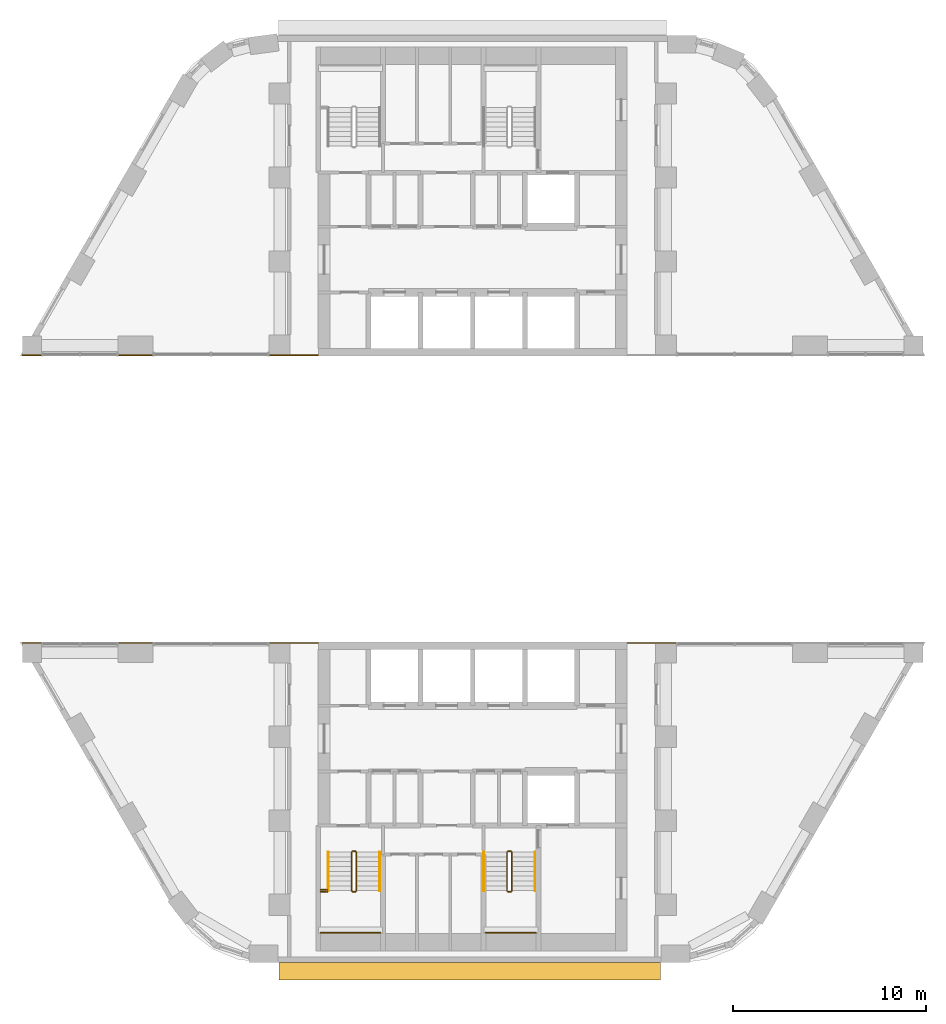
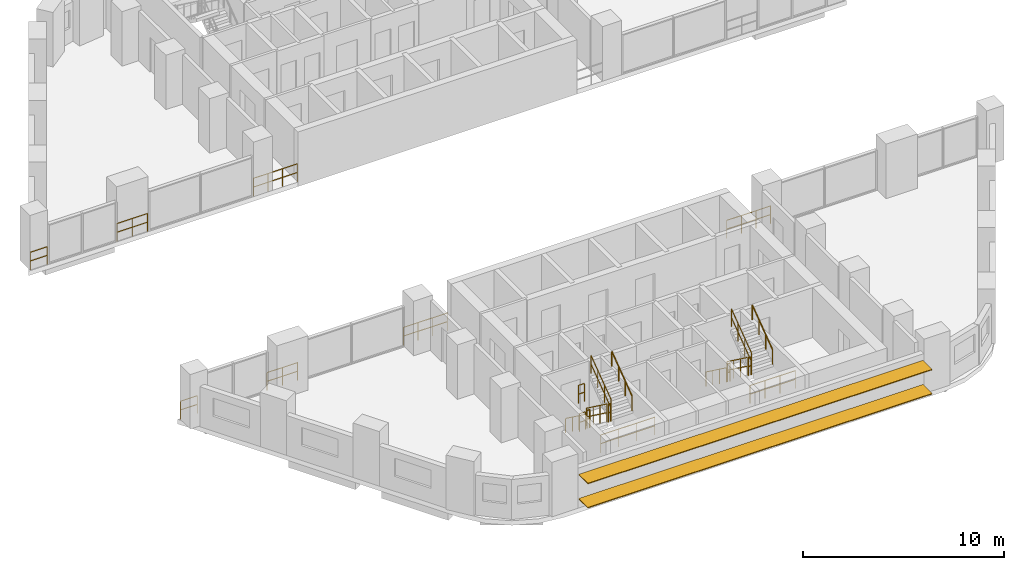
# One storey, part 10 of 11: 23 railings, 2 shading devices.
"""IFC4 building model written with IfcOpenShell, lengths in metres."""

from ifc_helpers import new_model, si_unit, direction, frame, origin, origin_2d, place, context, subcontext, project, spatial, rectangle, circle, extrude, material, material_profile, profile_set, type_object, element, save


model = new_model("IFC4")

# Units and contexts
model_context = context("Model", 3, precision=1e-05, world=origin(), true_north=direction((0.0, 1.0)))
body_context = subcontext(model_context, "Body", "Model", "MODEL_VIEW")
ifc_project = project(units=[si_unit("LENGTHUNIT", "METRE"), si_unit("AREAUNIT", "SQUARE_METRE"), si_unit("VOLUMEUNIT", "CUBIC_METRE"), si_unit("PLANEANGLEUNIT", "RADIAN"), si_unit("MASSUNIT", "GRAM", prefix="KILO")], contexts=[model_context])

# Site, building, storey
site_placement = place(None, origin())
site = spatial("IfcSite", under=ifc_project, at=site_placement, CompositionType="ELEMENT")
building_placement = place(site_placement, origin())
building = spatial("IfcBuilding", under=site, at=building_placement, Name="Nakaniwa Court", CompositionType="ELEMENT")
storey_placement = place(building_placement, frame((0.0, 0.0, 31.5)))
storey = spatial("IfcBuildingStorey", under=building, at=storey_placement, Name="L07", CompositionType="ELEMENT", Elevation=31.5)

# Shading devices
ifc_material_1 = material(Name="Perforated charcoal ceramic louvre blade")
ifc_material_profile = material_profile(ifc_material_1, rectangle(XDim=0.89990234375, YDim=0.050048828125, at=origin_2d()), Name="Perforated ceramic louvre blade")
ifc_profile_set = profile_set([ifc_material_profile], Name="Perforated charcoal ceramic louvre blade")
shading_device_type = type_object("IfcShadingDeviceType", Name="Perforated ceramic louvre blade", PredefinedType="JALOUSIE", material=ifc_profile_set)
for number, where, z_axis, x_axis, name in (
    (1, (69.97119140625, 55.550048828125, 0.550048828125), (1.0, 0.0, 0.0), (0.0, 1.0, 0.0), "L07 perforated ceramic louvre blade w11 1"),
    (2, (69.97119140625, 55.550048828125, 2.014892578125), (1.0, 0.0, 0.0), (0.0, 1.0, 0.0), "L07 perforated ceramic louvre blade w11 2"),
):
    element("IfcShadingDevice", number, at=place(storey_placement, frame(where, z_axis=z_axis, x_axis=x_axis)), inside=storey, type_object=shading_device_type, Name=name, PredefinedType="JALOUSIE", context=body_context, shape_type="SweptSolid", body=[
        extrude(rectangle(XDim=0.89990234375, YDim=0.050048828125, at=origin_2d()), origin(), (0.0, 0.0, 1.0), 19.739990234375),
    ])

# Railings
ifc_material_2 = material(Name="Black powder coated steel guard", Category="steel")
railing_type_1 = type_object("IfcRailingType", Name="Stair guard 1100", PredefinedType="GUARDRAIL", material=ifc_material_2)
railing_1_placement = place(storey_placement, frame((73.72509765625, 61.72509765625, 0.183349609375)))
element("IfcRailing", 3, at=railing_1_placement, inside=storey, type_object=railing_type_1, Name="L07 ST3 stair guard 1", PredefinedType="GUARDRAIL", context=body_context, shape_type="SweptSolid", body=[
    extrude(circle(Radius=0.02392578125, at=origin_2d()), frame((0.0, 0.0, 1.076171875), z_axis=(0.0, -0.806426902644, 0.591333789573), x_axis=(1.0, 0.0, 0.0)), (0.0, 0.0, 1.0), 2.47998046875),
    extrude(circle(Radius=0.02392578125, at=origin_2d()), frame((0.0, 0.0, 0.550048828125), z_axis=(0.0, -0.806426902644, 0.591333789573), x_axis=(1.0, 0.0, 0.0)), (0.0, 0.0, 1.0), 2.47998046875),
    extrude(circle(Radius=0.02099609375, at=origin_2d()), origin(), (0.0, 0.0, 1.0), 1.052001953125),
    extrude(circle(Radius=0.02099609375, at=origin_2d()), frame((0.0, -0.666748046875, 0.48876953125)), (0.0, 0.0, 1.0), 1.052001953125),
    extrude(circle(Radius=0.02099609375, at=origin_2d()), frame((0.0, -1.333251953125, 0.977783203125)), (0.0, 0.0, 1.0), 1.052001953125),
    extrude(circle(Radius=0.02099609375, at=origin_2d()), frame((0.0, -2.0, 1.466552734375)), (0.0, 0.0, 1.0), 1.052001953125),
])
railing_2_placement = place(storey_placement, frame((73.77490234375, 59.675048828125, 1.64990234375)))
element("IfcRailing", 4, at=railing_2_placement, inside=storey, type_object=railing_type_1, Name="L07 ST3 stair guard 2", PredefinedType="GUARDRAIL", context=body_context, shape_type="SweptSolid", body=[
    extrude(circle(Radius=0.02392578125, at=origin_2d()), frame((0.0, 0.0, 1.076171875), z_axis=(1.0, 0.0, 0.0), x_axis=(0.0, 1.0, 0.0)), (0.0, 0.0, 1.0), 0.150146484375),
    extrude(circle(Radius=0.02392578125, at=origin_2d()), frame((0.0, 0.0, 0.550048828125), z_axis=(1.0, 0.0, 0.0), x_axis=(0.0, 1.0, 0.0)), (0.0, 0.0, 1.0), 0.150146484375),
    extrude(circle(Radius=0.02099609375, at=origin_2d()), origin(), (0.0, 0.0, 1.0), 1.052001953125),
    extrude(circle(Radius=0.02099609375, at=origin_2d()), frame((0.150146484375, 0.0, 0.0)), (0.0, 0.0, 1.0), 1.052001953125),
])
railing_3_placement = place(storey_placement, frame((73.97509765625, 59.72509765625, 1.833251953125)))
element("IfcRailing", 5, at=railing_3_placement, inside=storey, type_object=railing_type_1, Name="L07 ST3 stair guard 3", PredefinedType="GUARDRAIL", context=body_context, shape_type="SweptSolid", body=[
    extrude(circle(Radius=0.02392578125, at=origin_2d()), frame((0.0, 0.0, 1.076171875), z_axis=(0.0, 0.806379959628, 0.591397802423), x_axis=(-1.0, 0.0, 0.0)), (0.0, 0.0, 1.0), 2.480224609375),
    extrude(circle(Radius=0.02392578125, at=origin_2d()), frame((0.0, 0.0, 0.550048828125), z_axis=(0.0, 0.806379959628, 0.591397802423), x_axis=(-1.0, 0.0, 0.0)), (0.0, 0.0, 1.0), 2.480224609375),
    extrude(circle(Radius=0.02099609375, at=origin_2d()), origin(), (0.0, 0.0, 1.0), 1.052001953125),
    extrude(circle(Radius=0.02099609375, at=origin_2d()), frame((0.0, 0.666748046875, 0.489013671875)), (0.0, 0.0, 1.0), 1.052001953125),
    extrude(circle(Radius=0.02099609375, at=origin_2d()), frame((0.0, 1.333251953125, 0.977783203125)), (0.0, 0.0, 1.0), 1.052001953125),
    extrude(circle(Radius=0.02099609375, at=origin_2d()), frame((0.0, 2.0, 1.466796875)), (0.0, 0.0, 1.0), 1.052001953125),
])
railing_4_placement = place(storey_placement, frame((73.77490234375, 61.77490234375, 0.0)))
element("IfcRailing", 6, at=railing_4_placement, inside=storey, type_object=railing_type_1, Name="L07 ST3 stair guard 4", PredefinedType="GUARDRAIL", context=body_context, shape_type="SweptSolid", body=[
    extrude(circle(Radius=0.02392578125, at=origin_2d()), frame((0.0, 0.0, 1.076171875), z_axis=(1.0, 0.0, 0.0), x_axis=(0.0, 1.0, 0.0)), (0.0, 0.0, 1.0), 0.150146484375),
    extrude(circle(Radius=0.02392578125, at=origin_2d()), frame((0.0, 0.0, 0.550048828125), z_axis=(1.0, 0.0, 0.0), x_axis=(0.0, 1.0, 0.0)), (0.0, 0.0, 1.0), 0.150146484375),
    extrude(circle(Radius=0.02099609375, at=origin_2d()), origin(), (0.0, 0.0, 1.0), 1.052001953125),
    extrude(circle(Radius=0.02099609375, at=origin_2d()), frame((0.150146484375, 0.0, 0.0)), (0.0, 0.0, 1.0), 1.052001953125),
])
railing_5_placement = place(storey_placement, frame((72.125, 57.550048828125, 1.64990234375)))
element("IfcRailing", 7, at=railing_5_placement, inside=storey, type_object=railing_type_1, Name="L07 ST3 landing end guard 1", PredefinedType="GUARDRAIL", context=body_context, shape_type="SweptSolid", body=[
    extrude(circle(Radius=0.02392578125, at=origin_2d()), frame((0.0, 0.0, 1.076171875), z_axis=(1.0, 0.0, 0.0), x_axis=(0.0, 1.0, 0.0)), (0.0, 0.0, 1.0), 3.10009765625),
    extrude(circle(Radius=0.02392578125, at=origin_2d()), frame((0.0, 0.0, 0.550048828125), z_axis=(1.0, 0.0, 0.0), x_axis=(0.0, 1.0, 0.0)), (0.0, 0.0, 1.0), 3.10009765625),
    extrude(circle(Radius=0.02099609375, at=origin_2d()), origin(), (0.0, 0.0, 1.0), 1.052001953125),
    extrude(circle(Radius=0.02099609375, at=origin_2d()), frame((1.033447265625, 0.0, 0.0)), (0.0, 0.0, 1.0), 1.052001953125),
    extrude(circle(Radius=0.02099609375, at=origin_2d()), frame((2.066650390625, 0.0, 0.0)), (0.0, 0.0, 1.0), 1.052001953125),
    extrude(circle(Radius=0.02099609375, at=origin_2d()), frame((3.10009765625, 0.0, 0.0)), (0.0, 0.0, 1.0), 1.052001953125),
])
for number, where, name in (
    (8, (72.125, 59.675048828125, 1.64990234375), "L07 ST3 landing side guard 1W"),
    (9, (72.125, 59.77490234375, 3.300048828125), "L07 ST3 floor edge guard 1W"),
):
    element("IfcRailing", number, at=place(storey_placement, frame(where)), inside=storey, type_object=railing_type_1, Name=name, PredefinedType="GUARDRAIL", context=body_context, shape_type="SweptSolid", body=[
        extrude(circle(Radius=0.02392578125, at=origin_2d()), frame((0.0, 0.0, 1.076171875), z_axis=(1.0, 0.0, 0.0), x_axis=(0.0, 1.0, 0.0)), (0.0, 0.0, 1.0), 0.35009765625),
        extrude(circle(Radius=0.02392578125, at=origin_2d()), frame((0.0, 0.0, 0.550048828125), z_axis=(1.0, 0.0, 0.0), x_axis=(0.0, 1.0, 0.0)), (0.0, 0.0, 1.0), 0.35009765625),
        extrude(circle(Radius=0.02099609375, at=origin_2d()), origin(), (0.0, 0.0, 1.0), 1.052001953125),
        extrude(circle(Radius=0.02099609375, at=origin_2d()), frame((0.35009765625, 0.0, 0.0)), (0.0, 0.0, 1.0), 1.052001953125),
    ])
railing_6_placement = place(storey_placement, frame((81.77490234375, 61.72509765625, 0.183349609375)))
element("IfcRailing", 10, at=railing_6_placement, inside=storey, type_object=railing_type_1, Name="L07 ST4 stair guard 1", PredefinedType="GUARDRAIL", context=body_context, shape_type="SweptSolid", body=[
    extrude(circle(Radius=0.02392578125, at=origin_2d()), frame((0.0, 0.0, 1.076171875), z_axis=(0.0, -0.806426902644, 0.591333789573), x_axis=(1.0, 0.0, 0.0)), (0.0, 0.0, 1.0), 2.47998046875),
    extrude(circle(Radius=0.02392578125, at=origin_2d()), frame((0.0, 0.0, 0.550048828125), z_axis=(0.0, -0.806426902644, 0.591333789573), x_axis=(1.0, 0.0, 0.0)), (0.0, 0.0, 1.0), 2.47998046875),
    extrude(circle(Radius=0.02099609375, at=origin_2d()), origin(), (0.0, 0.0, 1.0), 1.052001953125),
    extrude(circle(Radius=0.02099609375, at=origin_2d()), frame((0.0, -0.666748046875, 0.48876953125)), (0.0, 0.0, 1.0), 1.052001953125),
    extrude(circle(Radius=0.02099609375, at=origin_2d()), frame((0.0, -1.333251953125, 0.977783203125)), (0.0, 0.0, 1.0), 1.052001953125),
    extrude(circle(Radius=0.02099609375, at=origin_2d()), frame((0.0, -2.0, 1.466552734375)), (0.0, 0.0, 1.0), 1.052001953125),
])
railing_7_placement = place(storey_placement, frame((81.824951171875, 59.675048828125, 1.64990234375)))
element("IfcRailing", 11, at=railing_7_placement, inside=storey, type_object=railing_type_1, Name="L07 ST4 stair guard 2", PredefinedType="GUARDRAIL", context=body_context, shape_type="SweptSolid", body=[
    extrude(circle(Radius=0.02392578125, at=origin_2d()), frame((0.0, 0.0, 1.076171875), z_axis=(1.0, 0.0, 0.0), x_axis=(0.0, 1.0, 0.0)), (0.0, 0.0, 1.0), 0.150146484375),
    extrude(circle(Radius=0.02392578125, at=origin_2d()), frame((0.0, 0.0, 0.550048828125), z_axis=(1.0, 0.0, 0.0), x_axis=(0.0, 1.0, 0.0)), (0.0, 0.0, 1.0), 0.150146484375),
    extrude(circle(Radius=0.02099609375, at=origin_2d()), origin(), (0.0, 0.0, 1.0), 1.052001953125),
    extrude(circle(Radius=0.02099609375, at=origin_2d()), frame((0.150146484375, 0.0, 0.0)), (0.0, 0.0, 1.0), 1.052001953125),
])
railing_8_placement = place(storey_placement, frame((82.02490234375, 59.72509765625, 1.833251953125)))
element("IfcRailing", 12, at=railing_8_placement, inside=storey, type_object=railing_type_1, Name="L07 ST4 stair guard 3", PredefinedType="GUARDRAIL", context=body_context, shape_type="SweptSolid", body=[
    extrude(circle(Radius=0.02392578125, at=origin_2d()), frame((0.0, 0.0, 1.076171875), z_axis=(0.0, 0.806379959628, 0.591397802423), x_axis=(-1.0, 0.0, 0.0)), (0.0, 0.0, 1.0), 2.480224609375),
    extrude(circle(Radius=0.02392578125, at=origin_2d()), frame((0.0, 0.0, 0.550048828125), z_axis=(0.0, 0.806379959628, 0.591397802423), x_axis=(-1.0, 0.0, 0.0)), (0.0, 0.0, 1.0), 2.480224609375),
    extrude(circle(Radius=0.02099609375, at=origin_2d()), origin(), (0.0, 0.0, 1.0), 1.052001953125),
    extrude(circle(Radius=0.02099609375, at=origin_2d()), frame((0.0, 0.666748046875, 0.489013671875)), (0.0, 0.0, 1.0), 1.052001953125),
    extrude(circle(Radius=0.02099609375, at=origin_2d()), frame((0.0, 1.333251953125, 0.977783203125)), (0.0, 0.0, 1.0), 1.052001953125),
    extrude(circle(Radius=0.02099609375, at=origin_2d()), frame((0.0, 2.0, 1.466796875)), (0.0, 0.0, 1.0), 1.052001953125),
])
railing_9_placement = place(storey_placement, frame((81.824951171875, 61.77490234375, 0.0)))
element("IfcRailing", 13, at=railing_9_placement, inside=storey, type_object=railing_type_1, Name="L07 ST4 stair guard 4", PredefinedType="GUARDRAIL", context=body_context, shape_type="SweptSolid", body=[
    extrude(circle(Radius=0.02392578125, at=origin_2d()), frame((0.0, 0.0, 1.076171875), z_axis=(1.0, 0.0, 0.0), x_axis=(0.0, 1.0, 0.0)), (0.0, 0.0, 1.0), 0.150146484375),
    extrude(circle(Radius=0.02392578125, at=origin_2d()), frame((0.0, 0.0, 0.550048828125), z_axis=(1.0, 0.0, 0.0), x_axis=(0.0, 1.0, 0.0)), (0.0, 0.0, 1.0), 0.150146484375),
    extrude(circle(Radius=0.02099609375, at=origin_2d()), origin(), (0.0, 0.0, 1.0), 1.052001953125),
    extrude(circle(Radius=0.02099609375, at=origin_2d()), frame((0.150146484375, 0.0, 0.0)), (0.0, 0.0, 1.0), 1.052001953125),
])
railing_10_placement = place(storey_placement, frame((80.675048828125, 57.550048828125, 1.64990234375)))
element("IfcRailing", 14, at=railing_10_placement, inside=storey, type_object=railing_type_1, Name="L07 ST4 landing end guard 1", PredefinedType="GUARDRAIL", context=body_context, shape_type="SweptSolid", body=[
    extrude(circle(Radius=0.02392578125, at=origin_2d()), frame((0.0, 0.0, 1.076171875), z_axis=(1.0, 0.0, 0.0), x_axis=(0.0, 1.0, 0.0)), (0.0, 0.0, 1.0), 2.599853515625),
    extrude(circle(Radius=0.02392578125, at=origin_2d()), frame((0.0, 0.0, 0.550048828125), z_axis=(1.0, 0.0, 0.0), x_axis=(0.0, 1.0, 0.0)), (0.0, 0.0, 1.0), 2.599853515625),
    extrude(circle(Radius=0.02099609375, at=origin_2d()), origin(), (0.0, 0.0, 1.0), 1.052001953125),
    extrude(circle(Radius=0.02099609375, at=origin_2d()), frame((0.86669921875, 0.0, 0.0)), (0.0, 0.0, 1.0), 1.052001953125),
    extrude(circle(Radius=0.02099609375, at=origin_2d()), frame((1.733154296875, 0.0, 0.0)), (0.0, 0.0, 1.0), 1.052001953125),
    extrude(circle(Radius=0.02099609375, at=origin_2d()), frame((2.599853515625, 0.0, 0.0)), (0.0, 0.0, 1.0), 1.052001953125),
])
railing_11_placement = place(storey_placement, frame((56.68896484375, 72.550048828125, 0.0)))
element("IfcRailing", 15, at=railing_11_placement, inside=storey, type_object=railing_type_1, Name="GUARD GD-L07-113", PredefinedType="GUARDRAIL", context=body_context, shape_type="SweptSolid", body=[
    extrude(circle(Radius=0.02392578125, at=origin_2d()), frame((0.0, 0.0, 1.076171875), z_axis=(1.0, 0.0, 0.0), x_axis=(0.0, 1.0, 0.0)), (0.0, 0.0, 1.0), 0.968017578125),
    extrude(circle(Radius=0.02392578125, at=origin_2d()), frame((0.0, 0.0, 0.550048828125), z_axis=(1.0, 0.0, 0.0), x_axis=(0.0, 1.0, 0.0)), (0.0, 0.0, 1.0), 0.968017578125),
    extrude(circle(Radius=0.02099609375, at=origin_2d()), origin(), (0.0, 0.0, 1.0), 1.052001953125),
    extrude(circle(Radius=0.02099609375, at=origin_2d()), frame((0.968017578125, 0.0, 0.0)), (0.0, 0.0, 1.0), 1.052001953125),
])
railing_12_placement = place(storey_placement, frame((61.65625, 72.550048828125, 0.0)))
element("IfcRailing", 16, at=railing_12_placement, inside=storey, type_object=railing_type_1, Name="GUARD GD-L07-114", PredefinedType="GUARDRAIL", context=body_context, shape_type="SweptSolid", body=[
    extrude(circle(Radius=0.02392578125, at=origin_2d()), frame((0.0, 0.0, 1.076171875), z_axis=(1.0, 0.0, 0.0), x_axis=(0.0, 1.0, 0.0)), (0.0, 0.0, 1.0), 1.75634765625),
    extrude(circle(Radius=0.02392578125, at=origin_2d()), frame((0.0, 0.0, 0.550048828125), z_axis=(1.0, 0.0, 0.0), x_axis=(0.0, 1.0, 0.0)), (0.0, 0.0, 1.0), 1.75634765625),
    extrude(circle(Radius=0.02099609375, at=origin_2d()), origin(), (0.0, 0.0, 1.0), 1.052001953125),
    extrude(circle(Radius=0.02099609375, at=origin_2d()), frame((0.878173828125, 0.0, 0.0)), (0.0, 0.0, 1.0), 1.052001953125),
    extrude(circle(Radius=0.02099609375, at=origin_2d()), frame((1.75634765625, 0.0, 0.0)), (0.0, 0.0, 1.0), 1.052001953125),
])
for number, where, name in (
    (17, (69.47607421875, 72.550048828125, 0.0), "GUARD GD-L07-115"),
    (18, (88.009033203125, 72.550048828125, 0.0), "GUARD GD-L07-116"),
):
    element("IfcRailing", number, at=place(storey_placement, frame(where)), inside=storey, type_object=railing_type_1, Name=name, PredefinedType="GUARDRAIL", context=body_context, shape_type="SweptSolid", body=[
        extrude(circle(Radius=0.02392578125, at=origin_2d()), frame((0.0, 0.0, 1.076171875), z_axis=(1.0, 0.0, 0.0), x_axis=(0.0, 1.0, 0.0)), (0.0, 0.0, 1.0), 2.514892578125),
        extrude(circle(Radius=0.02392578125, at=origin_2d()), frame((0.0, 0.0, 0.550048828125), z_axis=(1.0, 0.0, 0.0), x_axis=(0.0, 1.0, 0.0)), (0.0, 0.0, 1.0), 2.514892578125),
        extrude(circle(Radius=0.02099609375, at=origin_2d()), origin(), (0.0, 0.0, 1.0), 1.052001953125),
        extrude(circle(Radius=0.02099609375, at=origin_2d()), frame((0.83837890625, 0.0, 0.0)), (0.0, 0.0, 1.0), 1.052001953125),
        extrude(circle(Radius=0.02099609375, at=origin_2d()), frame((1.676513671875, 0.0, 0.0)), (0.0, 0.0, 1.0), 1.052001953125),
        extrude(circle(Radius=0.02099609375, at=origin_2d()), frame((2.514892578125, 0.0, 0.0)), (0.0, 0.0, 1.0), 1.052001953125),
    ])
railing_13_placement = place(storey_placement, frame((71.990966796875, 87.449951171875, 0.0)))
element("IfcRailing", 19, at=railing_13_placement, inside=storey, type_object=railing_type_1, Name="GUARD GD-L07-122", PredefinedType="GUARDRAIL", context=body_context, shape_type="SweptSolid", body=[
    extrude(circle(Radius=0.02392578125, at=origin_2d()), frame((0.0, 0.0, 1.076171875), z_axis=(-1.0, 0.0, 0.0), x_axis=(0.0, -1.0, 0.0)), (0.0, 0.0, 1.0), 2.514892578125),
    extrude(circle(Radius=0.02392578125, at=origin_2d()), frame((0.0, 0.0, 0.550048828125), z_axis=(-1.0, 0.0, 0.0), x_axis=(0.0, -1.0, 0.0)), (0.0, 0.0, 1.0), 2.514892578125),
    extrude(circle(Radius=0.02099609375, at=origin_2d()), origin(), (0.0, 0.0, 1.0), 1.052001953125),
    extrude(circle(Radius=0.02099609375, at=origin_2d()), frame((-0.83837890625, 0.0, 0.0)), (0.0, 0.0, 1.0), 1.052001953125),
    extrude(circle(Radius=0.02099609375, at=origin_2d()), frame((-1.676513671875, 0.0, 0.0)), (0.0, 0.0, 1.0), 1.052001953125),
    extrude(circle(Radius=0.02099609375, at=origin_2d()), frame((-2.514892578125, 0.0, 0.0)), (0.0, 0.0, 1.0), 1.052001953125),
])
railing_14_placement = place(storey_placement, frame((63.41259765625, 87.449951171875, 0.0)))
element("IfcRailing", 20, at=railing_14_placement, inside=storey, type_object=railing_type_1, Name="GUARD GD-L07-123", PredefinedType="GUARDRAIL", context=body_context, shape_type="SweptSolid", body=[
    extrude(circle(Radius=0.02392578125, at=origin_2d()), frame((0.0, 0.0, 1.076171875), z_axis=(-1.0, 0.0, 0.0), x_axis=(0.0, -1.0, 0.0)), (0.0, 0.0, 1.0), 1.75634765625),
    extrude(circle(Radius=0.02392578125, at=origin_2d()), frame((0.0, 0.0, 0.550048828125), z_axis=(-1.0, 0.0, 0.0), x_axis=(0.0, -1.0, 0.0)), (0.0, 0.0, 1.0), 1.75634765625),
    extrude(circle(Radius=0.02099609375, at=origin_2d()), origin(), (0.0, 0.0, 1.0), 1.052001953125),
    extrude(circle(Radius=0.02099609375, at=origin_2d()), frame((-0.878173828125, 0.0, 0.0)), (0.0, 0.0, 1.0), 1.052001953125),
    extrude(circle(Radius=0.02099609375, at=origin_2d()), frame((-1.75634765625, 0.0, 0.0)), (0.0, 0.0, 1.0), 1.052001953125),
])
railing_15_placement = place(storey_placement, frame((57.656982421875, 87.449951171875, 0.0)))
element("IfcRailing", 21, at=railing_15_placement, inside=storey, type_object=railing_type_1, Name="GUARD GD-L07-124", PredefinedType="GUARDRAIL", context=body_context, shape_type="SweptSolid", body=[
    extrude(circle(Radius=0.02392578125, at=origin_2d()), frame((0.0, 0.0, 1.076171875), z_axis=(-1.0, 0.0, 0.0), x_axis=(0.0, -1.0, 0.0)), (0.0, 0.0, 1.0), 0.968017578125),
    extrude(circle(Radius=0.02392578125, at=origin_2d()), frame((0.0, 0.0, 0.550048828125), z_axis=(-1.0, 0.0, 0.0), x_axis=(0.0, -1.0, 0.0)), (0.0, 0.0, 1.0), 0.968017578125),
    extrude(circle(Radius=0.02099609375, at=origin_2d()), origin(), (0.0, 0.0, 1.0), 1.052001953125),
    extrude(circle(Radius=0.02099609375, at=origin_2d()), frame((-0.968017578125, 0.0, 0.0)), (0.0, 0.0, 1.0), 1.052001953125),
])
ifc_material_3 = material(Name="Black powder coated steel handrail", Category="steel")
railing_type_2 = type_object("IfcRailingType", Name="Stair handrail 900", PredefinedType="HANDRAIL", material=ifc_material_3)
railing_16_placement = place(storey_placement, frame((72.52490234375, 61.72509765625, 0.183349609375)))
element("IfcRailing", 22, at=railing_16_placement, inside=storey, type_object=railing_type_2, Name="L07 ST3 stair handrail 1", PredefinedType="HANDRAIL", context=body_context, shape_type="SweptSolid", body=[
    extrude(circle(Radius=0.02392578125, at=origin_2d()), frame((0.0, 0.0, 0.8759765625), z_axis=(0.0, -0.806426902644, 0.591333789573), x_axis=(1.0, 0.0, 0.0)), (0.0, 0.0, 1.0), 2.47998046875),
    extrude(circle(Radius=0.02099609375, at=origin_2d()), origin(), (0.0, 0.0, 1.0), 0.851806640625),
    extrude(circle(Radius=0.02099609375, at=origin_2d()), frame((0.0, -0.666748046875, 0.48876953125)), (0.0, 0.0, 1.0), 0.851806640625),
    extrude(circle(Radius=0.02099609375, at=origin_2d()), frame((0.0, -1.333251953125, 0.977783203125)), (0.0, 0.0, 1.0), 0.851806640625),
    extrude(circle(Radius=0.02099609375, at=origin_2d()), frame((0.0, -2.0, 1.466552734375)), (0.0, 0.0, 1.0), 0.851806640625),
])
railing_17_placement = place(storey_placement, frame((75.175048828125, 59.72509765625, 1.833251953125)))
element("IfcRailing", 23, at=railing_17_placement, inside=storey, type_object=railing_type_2, Name="L07 ST3 stair handrail 2", PredefinedType="HANDRAIL", context=body_context, shape_type="SweptSolid", body=[
    extrude(circle(Radius=0.02392578125, at=origin_2d()), frame((0.0, 0.0, 0.8759765625), z_axis=(0.0, 0.806379959628, 0.591397802423), x_axis=(-1.0, 0.0, 0.0)), (0.0, 0.0, 1.0), 2.480224609375),
    extrude(circle(Radius=0.02099609375, at=origin_2d()), origin(), (0.0, 0.0, 1.0), 0.851806640625),
    extrude(circle(Radius=0.02099609375, at=origin_2d()), frame((0.0, 0.666748046875, 0.489013671875)), (0.0, 0.0, 1.0), 0.851806640625),
    extrude(circle(Radius=0.02099609375, at=origin_2d()), frame((0.0, 1.333251953125, 0.977783203125)), (0.0, 0.0, 1.0), 0.851806640625),
    extrude(circle(Radius=0.02099609375, at=origin_2d()), frame((0.0, 2.0, 1.466796875)), (0.0, 0.0, 1.0), 0.851806640625),
])
railing_18_placement = place(storey_placement, frame((80.574951171875, 61.72509765625, 0.183349609375)))
element("IfcRailing", 24, at=railing_18_placement, inside=storey, type_object=railing_type_2, Name="L07 ST4 stair handrail 1", PredefinedType="HANDRAIL", context=body_context, shape_type="SweptSolid", body=[
    extrude(circle(Radius=0.02392578125, at=origin_2d()), frame((0.0, 0.0, 0.8759765625), z_axis=(0.0, -0.806426902644, 0.591333789573), x_axis=(1.0, 0.0, 0.0)), (0.0, 0.0, 1.0), 2.47998046875),
    extrude(circle(Radius=0.02099609375, at=origin_2d()), origin(), (0.0, 0.0, 1.0), 0.851806640625),
    extrude(circle(Radius=0.02099609375, at=origin_2d()), frame((0.0, -0.666748046875, 0.48876953125)), (0.0, 0.0, 1.0), 0.851806640625),
    extrude(circle(Radius=0.02099609375, at=origin_2d()), frame((0.0, -1.333251953125, 0.977783203125)), (0.0, 0.0, 1.0), 0.851806640625),
    extrude(circle(Radius=0.02099609375, at=origin_2d()), frame((0.0, -2.0, 1.466552734375)), (0.0, 0.0, 1.0), 0.851806640625),
])
railing_19_placement = place(storey_placement, frame((83.22509765625, 59.72509765625, 1.833251953125)))
element("IfcRailing", 25, at=railing_19_placement, inside=storey, type_object=railing_type_2, Name="L07 ST4 stair handrail 2", PredefinedType="HANDRAIL", context=body_context, shape_type="SweptSolid", body=[
    extrude(circle(Radius=0.02392578125, at=origin_2d()), frame((0.0, 0.0, 0.8759765625), z_axis=(0.0, 0.806379959628, 0.591397802423), x_axis=(-1.0, 0.0, 0.0)), (0.0, 0.0, 1.0), 2.480224609375),
    extrude(circle(Radius=0.02099609375, at=origin_2d()), origin(), (0.0, 0.0, 1.0), 0.851806640625),
    extrude(circle(Radius=0.02099609375, at=origin_2d()), frame((0.0, 0.666748046875, 0.489013671875)), (0.0, 0.0, 1.0), 0.851806640625),
    extrude(circle(Radius=0.02099609375, at=origin_2d()), frame((0.0, 1.333251953125, 0.977783203125)), (0.0, 0.0, 1.0), 0.851806640625),
    extrude(circle(Radius=0.02099609375, at=origin_2d()), frame((0.0, 2.0, 1.466796875)), (0.0, 0.0, 1.0), 0.851806640625),
])

save(model, "model.ifc")
